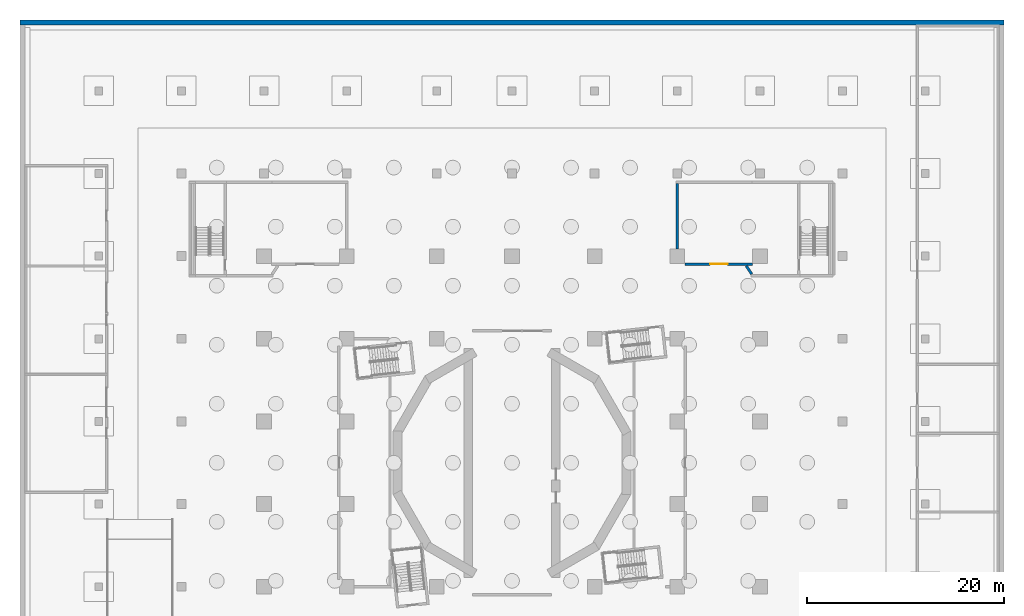
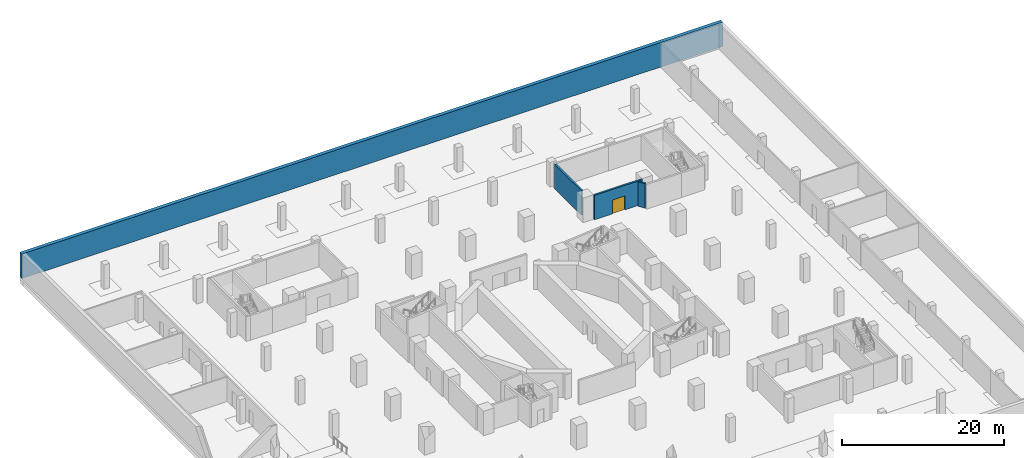
# One storey, part 11 of 20: 4 walls, 1 door, 1 opening.
"""IFC4 building model written with IfcOpenShell, lengths in metres."""

from ifc_helpers import new_model, si_unit, direction, frame, frame_2d, origin, place, context, subcontext, project, spatial, rectangle, extrude, material, layer, layer_set, type_object, element, fill, save


model = new_model("IFC4")

# Units and contexts
model_context = context("Model", 3, precision=1e-05, world=origin(), true_north=direction((0.0, 1.0)))
body_context = subcontext(model_context, "Body", "Model", "MODEL_VIEW")
ifc_project = project(units=[si_unit("LENGTHUNIT", "METRE"), si_unit("AREAUNIT", "SQUARE_METRE"), si_unit("VOLUMEUNIT", "CUBIC_METRE"), si_unit("PLANEANGLEUNIT", "RADIAN"), si_unit("MASSUNIT", "GRAM", prefix="KILO")], contexts=[model_context])

# Site, building, storey
site_placement = place(None, origin())
site = spatial("IfcSite", under=ifc_project, at=site_placement, CompositionType="ELEMENT")
building_placement = place(site_placement, origin())
building = spatial("IfcBuilding", under=site, at=building_placement, Name="Cantera Rosa Tower", CompositionType="ELEMENT")
storey_placement = place(building_placement, frame((0.0, 0.0, -17.0)))
storey = spatial("IfcBuildingStorey", under=building, at=storey_placement, Name="B4", CompositionType="ELEMENT", Elevation=-17.0)

# Walls
ifc_material_1 = material(Name="Masonry blockwork", Category="masonry")
ifc_layer_1 = layer(ifc_material_1, 0.25)
ifc_layer_set_1 = layer_set([ifc_layer_1], Name="Fire-rated external wall 250")
wall_type_1 = type_object("IfcWallType", Name="Fire-rated external wall 250", PredefinedType="PARTITIONING", material=ifc_layer_set_1)
wall_1_placement = place(storey_placement, frame((16.800048828125, 21.75, 0.0), z_axis=(0.0, 0.0, 1.0), x_axis=(0.0, 1.0, 0.0)))
element("IfcWall", 1, at=wall_1_placement, inside=storey, type_object=wall_type_1, Name="Fire wall B4-35", PredefinedType="PARTITIONING", context=body_context, shape_type="SweptSolid", body=[
    extrude(rectangle(XDim=6.625, YDim=0.25, at=frame_2d((3.3125, 0.0))), origin(), (0.0, 0.0, 1.0), 3.699951171875),
])
ifc_material_2 = material(Name="Masonry blockwork", Category="masonry")
ifc_layer_2 = layer(ifc_material_2, 0.25)
ifc_layer_set_2 = layer_set([ifc_layer_2], Name="Fire-rated wall 250")
wall_type_2 = type_object("IfcWallType", Name="Fire-rated wall 250", PredefinedType="PARTITIONING", material=ifc_layer_set_2)
wall_2_placement = place(storey_placement, frame((24.366455078125, 19.1748046875, 0.0), z_axis=(0.0, 0.0, 1.0), x_axis=(-0.559172704165, 0.829051196801, 0.0)))
element("IfcWall", 2, at=wall_2_placement, inside=storey, type_object=wall_type_2, Name="Fire wall B4-37", PredefinedType="PARTITIONING", context=body_context, shape_type="SweptSolid", body=[
    extrude(rectangle(XDim=1.005859375, YDim=0.25, at=frame_2d((0.5029296875, 0.0))), origin(), (0.0, 0.0, 1.0), 3.699951171875),
])

# Wall, opening, door
wall_3_placement = place(storey_placement, frame((17.60009765625, 20.199951171875, 0.0), z_axis=(0.0, 0.0, 1.0), x_axis=(1.0, 0.0, 0.0)))
wall_3 = element("IfcWall", 3, at=wall_3_placement, inside=storey, type_object=wall_type_2, Name="Fire wall B4-39", PredefinedType="PARTITIONING", context=body_context, shape_type="SweptSolid", body=[
    extrude(rectangle(XDim=6.849853515625, YDim=0.25, at=frame_2d((3.4248046875, 0.0))), origin(), (0.0, 0.0, 1.0), 3.699951171875),
])
opening_placement = place(wall_3_placement, frame((2.52490234375, 0.0, 0.0)))
opening = element("IfcOpeningElement", 4, at=opening_placement, cuts=wall_3, Name="Opening B4-001", PredefinedType="OPENING", context=body_context, shape_type="SweptSolid", body=[
    extrude(rectangle(XDim=1.800048828125, YDim=2.10009765625, at=frame_2d((0.89990234375, 1.050048828125))), frame((0.0, 0.135009765625, 0.0), z_axis=(0.0, -1.0, 0.0), x_axis=(1.0, 0.0, 0.0)), (0.0, 0.0, 1.0), 0.27001953125),
])
ifc_material_3 = material(Name="Steel S355J2 (EN 10025-2)", Category="steel")
door_type = type_object("IfcDoorType", Name="Fire double door 1800x2100", OperationType="NOTDEFINED", PredefinedType="DOOR", material=ifc_material_3)
door_placement = place(opening_placement, origin())
door = element("IfcDoor", 5, at=door_placement, inside=storey, type_object=door_type, Name="Door B4-001", OperationType="DOUBLE_DOOR_SINGLE_SWING", OverallHeight=2.10009765625, OverallWidth=1.800048828125, PredefinedType="DOOR", context=body_context, shape_type="SweptSolid", body=[
    extrude(rectangle(XDim=1.800048828125, YDim=2.10009765625, at=frame_2d((0.89990234375, 1.050048828125))), frame((0.0, 0.02490234375, 0.0), z_axis=(0.0, -1.0, 0.0), x_axis=(1.0, 0.0, 0.0)), (0.0, 0.0, 1.0), 0.050048828125),
])
fill(opening, door)

# Wall
ifc_material_4 = material(Name="Concrete C40/50", Category="concrete")
ifc_layer_3 = layer(ifc_material_4, 0.5)
ifc_layer_set_3 = layer_set([ifc_layer_3], Name="Retaining wall 500")
wall_type_3 = type_object("IfcWallType", Name="Retaining wall 500", PredefinedType="SOLIDWALL", material=ifc_layer_set_3)
wall_4_placement = place(storey_placement, frame((-50.0, 44.75, 0.0), z_axis=(0.0, 0.0, 1.0), x_axis=(1.0, 0.0, 0.0)))
element("IfcWall", 6, at=wall_4_placement, inside=storey, type_object=wall_type_3, Name="Retaining wall N B4", PredefinedType="SOLIDWALL", context=body_context, shape_type="SweptSolid", body=[
    extrude(rectangle(XDim=100.0, YDim=0.5, at=frame_2d((50.0, 0.0))), origin(), (0.0, 0.0, 1.0), 3.699951171875),
])

save(model, "model.ifc")
